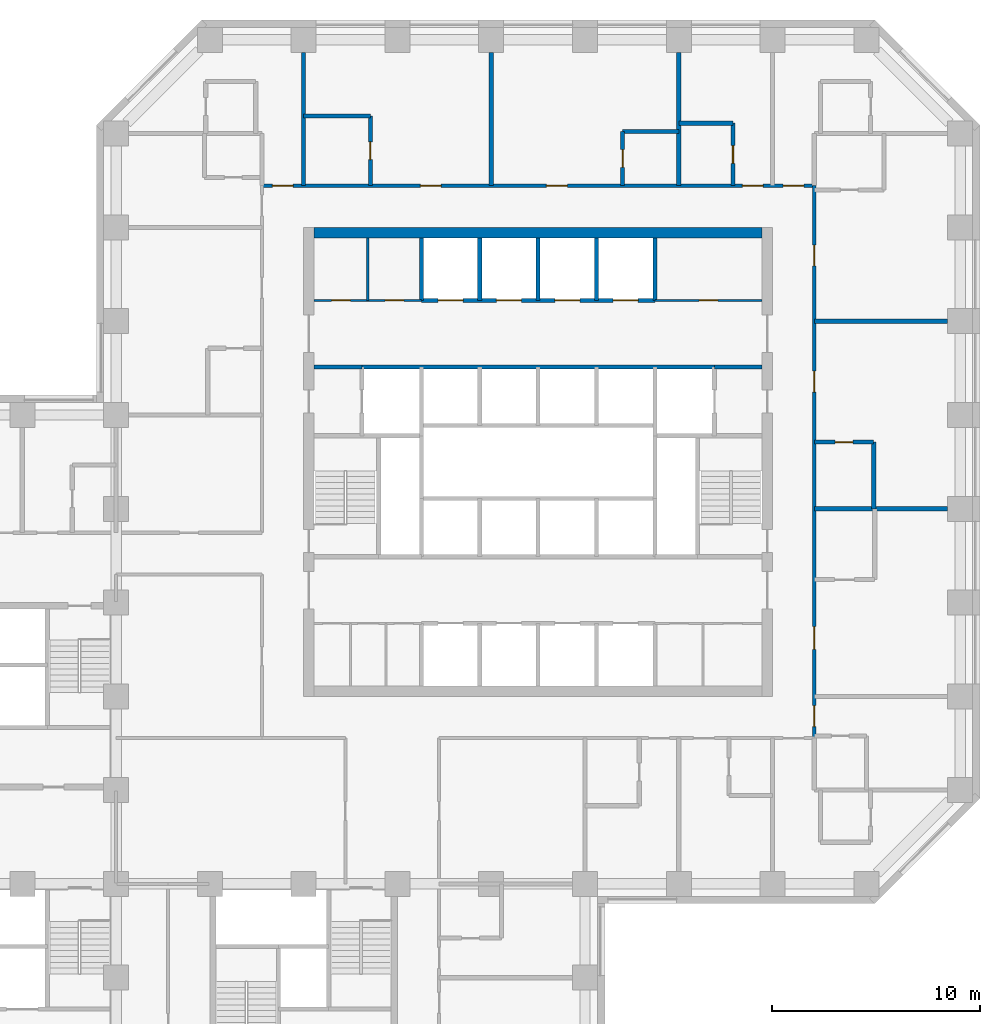
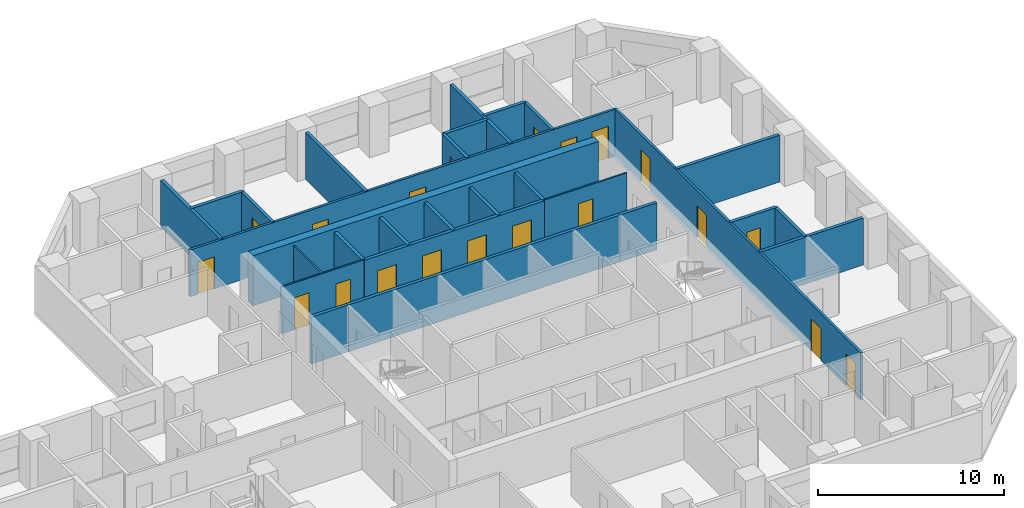
# One storey, part 9 of 12: 28 walls, 20 doors, 20 openings.
"""IFC4 building model written with IfcOpenShell, lengths in metres."""

from ifc_helpers import new_model, si_unit, direction, frame, frame_2d, origin, place, context, subcontext, project, spatial, rectangle, extrude, material, layer, layer_set, type_object, element, fill, save


model = new_model("IFC4")

# Units and contexts
model_context = context("Model", 3, precision=1e-05, world=origin(), true_north=direction((0.0, 1.0)))
body_context = subcontext(model_context, "Body", "Model", "MODEL_VIEW")
ifc_project = project(units=[si_unit("LENGTHUNIT", "METRE"), si_unit("AREAUNIT", "SQUARE_METRE"), si_unit("VOLUMEUNIT", "CUBIC_METRE"), si_unit("PLANEANGLEUNIT", "RADIAN"), si_unit("MASSUNIT", "GRAM", prefix="KILO")], contexts=[model_context])

# Site, building, storey
site_placement = place(None, origin())
site = spatial("IfcSite", under=ifc_project, at=site_placement, CompositionType="ELEMENT")
building_placement = place(site_placement, origin())
building = spatial("IfcBuilding", under=site, at=building_placement, Name="Quoin Convention Tower", CompositionType="ELEMENT")
storey_placement = place(building_placement, frame((0.0, 0.0, 59.39990234375)))
storey = spatial("IfcBuildingStorey", under=building, at=storey_placement, Name="L15", CompositionType="ELEMENT", Elevation=59.39990234375)

# Wall, openings, doors
ifc_material_1 = material(Name="Plasterboard")
ifc_layer_1 = layer(ifc_material_1, 0.012451171875, Name="Finish")
ifc_material_2 = material(Name="Steel stud framing", Category="steel")
ifc_layer_2 = layer(ifc_material_2, 0.074951171875, Name="Structure")
ifc_layer_3 = layer(ifc_material_1, 0.012451171875, Name="Finish")
ifc_layer_set_1 = layer_set([ifc_layer_1, ifc_layer_2, ifc_layer_3], Name="Steel stud framing")
wall_type_1 = type_object("IfcWallType", Name="Core partition wall", PredefinedType="PARTITIONING", material=ifc_layer_set_1)
wall_1_placement = place(storey_placement, frame((45.5, 68.5, 0.0), z_axis=(0.0, 0.0, 1.0), x_axis=(1.0, 0.0, 0.0)))
wall_1 = element("IfcWall", 1, at=wall_1_placement, inside=storey, type_object=wall_type_1, Name="cr-C1-L15-h19000_500", PredefinedType="PARTITIONING", context=body_context, shape_type="SweptSolid", body=[
    extrude(rectangle(XDim=5.14990234375, YDim=0.10009765625, at=frame_2d((2.574951171875, 0.0))), origin(), (0.0, 0.0, 1.0), 3.080078125),
])
opening_1_placement = place(wall_1_placement, frame((0.83740234375, 0.0, 0.0)))
opening_1 = element("IfcOpeningElement", 2, at=opening_1_placement, cuts=wall_1, Name="Opening DCV5-18", PredefinedType="OPENING", context=body_context, shape_type="SweptSolid", body=[
    extrude(rectangle(XDim=0.89990234375, YDim=2.10009765625, at=frame_2d((0.449951171875, 1.050048828125))), frame((0.0, 0.06005859375, 0.0), z_axis=(0.0, -1.0, 0.0), x_axis=(1.0, 0.0, 0.0)), (0.0, 0.0, 1.0), 0.1201171875),
])
opening_2_placement = place(wall_1_placement, frame((3.41259765625, 0.0, 0.0)))
opening_2 = element("IfcOpeningElement", 3, at=opening_2_placement, cuts=wall_1, Name="Opening DCV5-19", PredefinedType="OPENING", context=body_context, shape_type="SweptSolid", body=[
    extrude(rectangle(XDim=0.89990234375, YDim=2.10009765625, at=frame_2d((0.449951171875, 1.050048828125))), frame((0.0, 0.06005859375, 0.0), z_axis=(0.0, -1.0, 0.0), x_axis=(1.0, 0.0, 0.0)), (0.0, 0.0, 1.0), 0.1201171875),
])
ifc_material_3 = material(Name="Steel door leaf", Category="steel")
door_type_1 = type_object("IfcDoorType", Name="Core room door 900 x 2100", OperationType="SINGLE_SWING_LEFT", PredefinedType="DOOR", material=ifc_material_3)
door_1_placement = place(opening_1_placement, origin())
door_1 = element("IfcDoor", 4, at=door_1_placement, inside=storey, type_object=door_type_1, Name="cd-C1-L15-CNW0-lobB-CD1508", OperationType="SINGLE_SWING_RIGHT", OverallHeight=2.10009765625, OverallWidth=0.89990234375, PredefinedType="DOOR", context=body_context, shape_type="SweptSolid", body=[
    extrude(rectangle(XDim=0.89990234375, YDim=2.10009765625, at=frame_2d((0.449951171875, 1.050048828125))), frame((0.0, 0.02490234375, 0.0), z_axis=(0.0, -1.0, 0.0), x_axis=(1.0, 0.0, 0.0)), (0.0, 0.0, 1.0), 0.050048828125),
])
fill(opening_1, door_1)
door_2_placement = place(opening_2_placement, origin())
door_2 = element("IfcDoor", 5, at=door_2_placement, inside=storey, type_object=door_type_1, Name="cd-C1-L15-CNW1-lobB-CD1509", OperationType="SINGLE_SWING_RIGHT", OverallHeight=2.10009765625, OverallWidth=0.89990234375, PredefinedType="DOOR", context=body_context, shape_type="SweptSolid", body=[
    extrude(rectangle(XDim=0.89990234375, YDim=2.10009765625, at=frame_2d((0.449951171875, 1.050048828125))), frame((0.0, 0.02490234375, 0.0), z_axis=(0.0, -1.0, 0.0), x_axis=(1.0, 0.0, 0.0)), (0.0, 0.0, 1.0), 0.050048828125),
])
fill(opening_2, door_2)

# Wall, opening, door
wall_2_placement = place(storey_placement, frame((61.85009765625, 68.5, 0.0), z_axis=(0.0, 0.0, 1.0), x_axis=(1.0, 0.0, 0.0)))
wall_2 = element("IfcWall", 6, at=wall_2_placement, inside=storey, type_object=wall_type_1, Name="cr-C1-L15-h19000_16850", PredefinedType="PARTITIONING", context=body_context, shape_type="SweptSolid", body=[
    extrude(rectangle(XDim=5.14990234375, YDim=0.10009765625, at=frame_2d((2.574951171875, 0.0))), origin(), (0.0, 0.0, 1.0), 3.080078125),
])
opening_3_placement = place(wall_2_placement, frame((2.125, 0.0, 0.0)))
opening_3 = element("IfcOpeningElement", 7, at=opening_3_placement, cuts=wall_2, Name="Opening DCV5-01", PredefinedType="OPENING", context=body_context, shape_type="SweptSolid", body=[
    extrude(rectangle(XDim=0.89990234375, YDim=2.10009765625, at=frame_2d((0.449951171875, 1.050048828125))), frame((0.0, 0.06005859375, 0.0), z_axis=(0.0, -1.0, 0.0), x_axis=(1.0, 0.0, 0.0)), (0.0, 0.0, 1.0), 0.1201171875),
])
door_3_placement = place(opening_3_placement, origin())
door_3 = element("IfcDoor", 8, at=door_3_placement, inside=storey, type_object=door_type_1, Name="cd-C1-L15-CNE0-lobB-CD1507", OperationType="SINGLE_SWING_LEFT", OverallHeight=2.10009765625, OverallWidth=0.89990234375, PredefinedType="DOOR", context=body_context, shape_type="SweptSolid", body=[
    extrude(rectangle(XDim=0.89990234375, YDim=2.10009765625, at=frame_2d((0.449951171875, 1.050048828125))), frame((0.0, 0.02490234375, 0.0), z_axis=(0.0, -1.0, 0.0), x_axis=(1.0, 0.0, 0.0)), (0.0, 0.0, 1.0), 0.050048828125),
])
fill(opening_3, door_3)

# Walls
wall_3_placement = place(storey_placement, frame((48.074951171875, 68.5, 0.0), z_axis=(0.0, 0.0, 1.0), x_axis=(0.0, 1.0, 0.0)))
element("IfcWall", 9, at=wall_3_placement, inside=storey, type_object=wall_type_1, Name="cr-C1-L15-v3075_19000", PredefinedType="PARTITIONING", context=body_context, shape_type="SweptSolid", body=[
    extrude(rectangle(XDim=3.0, YDim=0.10009765625, at=frame_2d((1.5, 0.0))), origin(), (0.0, 0.0, 1.0), 3.080078125),
])
ifc_material_4 = material(Name="Concrete C50", Category="concrete")
ifc_layer_4 = layer(ifc_material_4, 0.199951171875)
ifc_layer_set_2 = layer_set([ifc_layer_4], Name="Concrete C50")
wall_type_2 = type_object("IfcWallType", Name="Core shaft wall", PredefinedType="SOLIDWALL", material=ifc_layer_set_2)
for number, where, z_axis, x_axis, name in (
    (10, (45.5, 65.300048828125, 0.0), (0.0, 0.0, 1.0), (1.0, 0.0, 0.0), "cr-C1-L15-h15800_500"),
    (11, (64.699951171875, 65.300048828125, 0.0), (0.0, 0.0, 1.0), (1.0, 0.0, 0.0), "cr-C1-L15-h15800_19700"),
):
    element("IfcWall", number, at=place(storey_placement, frame(where, z_axis=z_axis, x_axis=x_axis)), inside=storey, type_object=wall_type_2, Name=name, PredefinedType="SOLIDWALL", context=body_context, shape_type="SweptSolid", body=[
        extrude(rectangle(XDim=2.300048828125, YDim=0.199951171875, at=frame_2d((1.14990234375, 0.0))), origin(), (0.0, 0.0, 1.0), 3.080078125),
    ])
wall_4_placement = place(storey_placement, frame((47.800048828125, 65.300048828125, 0.0), z_axis=(0.0, 0.0, 1.0), x_axis=(1.0, 0.0, 0.0)))
element("IfcWall", 12, at=wall_4_placement, inside=storey, type_object=wall_type_2, Name="cr-C1-L15-h15800_2800", PredefinedType="SOLIDWALL", context=body_context, shape_type="SweptSolid", body=[
    extrude(rectangle(XDim=16.89990234375, YDim=0.199951171875, at=frame_2d((8.449951171875, 0.0))), origin(), (0.0, 0.0, 1.0), 3.080078125),
])

# Wall, openings, doors
wall_5_placement = place(storey_placement, frame((50.64990234375, 68.5, 0.0), z_axis=(0.0, 0.0, 1.0), x_axis=(1.0, 0.0, 0.0)))
wall_5 = element("IfcWall", 13, at=wall_5_placement, inside=storey, type_object=wall_type_2, Name="cr-C1-L15-h19000_5650", PredefinedType="SOLIDWALL", context=body_context, shape_type="SweptSolid", body=[
    extrude(rectangle(XDim=11.2001953125, YDim=0.199951171875, at=frame_2d((5.60009765625, 0.0))), origin(), (0.0, 0.0, 1.0), 3.080078125),
])
opening_4_placement = place(wall_5_placement, frame((0.800048828125, 0.0, 0.0)))
opening_4 = element("IfcOpeningElement", 14, at=opening_4_placement, cuts=wall_5, Name="Opening LDL5", PredefinedType="OPENING", context=body_context, shape_type="SweptSolid", body=[
    extrude(rectangle(XDim=1.199951171875, YDim=2.10009765625, at=frame_2d((0.60009765625, 1.050048828125))), frame((0.0, 0.10986328125, 0.0), z_axis=(0.0, -1.0, 0.0), x_axis=(1.0, 0.0, 0.0)), (0.0, 0.0, 1.0), 0.219970703125),
])
opening_5_placement = place(wall_5_placement, frame((3.60009765625, 0.0, 0.0)))
opening_5 = element("IfcOpeningElement", 15, at=opening_5_placement, cuts=wall_5, Name="Opening LDL6", PredefinedType="OPENING", context=body_context, shape_type="SweptSolid", body=[
    extrude(rectangle(XDim=1.199951171875, YDim=2.10009765625, at=frame_2d((0.60009765625, 1.050048828125))), frame((0.0, 0.10986328125, 0.0), z_axis=(0.0, -1.0, 0.0), x_axis=(1.0, 0.0, 0.0)), (0.0, 0.0, 1.0), 0.219970703125),
])
opening_6_placement = place(wall_5_placement, frame((6.39990234375, 0.0, 0.0)))
opening_6 = element("IfcOpeningElement", 16, at=opening_6_placement, cuts=wall_5, Name="Opening LDL7", PredefinedType="OPENING", context=body_context, shape_type="SweptSolid", body=[
    extrude(rectangle(XDim=1.199951171875, YDim=2.10009765625, at=frame_2d((0.60009765625, 1.050048828125))), frame((0.0, 0.10986328125, 0.0), z_axis=(0.0, -1.0, 0.0), x_axis=(1.0, 0.0, 0.0)), (0.0, 0.0, 1.0), 0.219970703125),
])
opening_7_placement = place(wall_5_placement, frame((9.199951171875, 0.0, 0.0)))
opening_7 = element("IfcOpeningElement", 17, at=opening_7_placement, cuts=wall_5, Name="Opening LDL8", PredefinedType="OPENING", context=body_context, shape_type="SweptSolid", body=[
    extrude(rectangle(XDim=1.199951171875, YDim=2.10009765625, at=frame_2d((0.60009765625, 1.050048828125))), frame((0.0, 0.10986328125, 0.0), z_axis=(0.0, -1.0, 0.0), x_axis=(1.0, 0.0, 0.0)), (0.0, 0.0, 1.0), 0.219970703125),
])
door_type_2 = type_object("IfcDoorType", Name="Lift landing door 1200 x 2100", OperationType="DOUBLE_DOOR_SLIDING", PredefinedType="DOOR", material=ifc_material_3)
door_4_placement = place(opening_4_placement, origin())
door_4 = element("IfcDoor", 18, at=door_4_placement, inside=storey, type_object=door_type_2, Name="cd-C1-L15-R40-lobB-LDL5", OperationType="DOUBLE_DOOR_SLIDING", OverallHeight=2.10009765625, OverallWidth=1.199951171875, PredefinedType="DOOR", context=body_context, shape_type="SweptSolid", body=[
    extrude(rectangle(XDim=1.199951171875, YDim=2.10009765625, at=frame_2d((0.60009765625, 1.050048828125))), frame((0.0, 0.02490234375, 0.0), z_axis=(0.0, -1.0, 0.0), x_axis=(1.0, 0.0, 0.0)), (0.0, 0.0, 1.0), 0.050048828125),
])
fill(opening_4, door_4)
door_5_placement = place(opening_5_placement, origin())
door_5 = element("IfcDoor", 19, at=door_5_placement, inside=storey, type_object=door_type_2, Name="cd-C1-L15-R41-lobB-LDL6", OperationType="DOUBLE_DOOR_SLIDING", OverallHeight=2.10009765625, OverallWidth=1.199951171875, PredefinedType="DOOR", context=body_context, shape_type="SweptSolid", body=[
    extrude(rectangle(XDim=1.199951171875, YDim=2.10009765625, at=frame_2d((0.60009765625, 1.050048828125))), frame((0.0, 0.02490234375, 0.0), z_axis=(0.0, -1.0, 0.0), x_axis=(1.0, 0.0, 0.0)), (0.0, 0.0, 1.0), 0.050048828125),
])
fill(opening_5, door_5)
door_6_placement = place(opening_6_placement, origin())
door_6 = element("IfcDoor", 20, at=door_6_placement, inside=storey, type_object=door_type_2, Name="cd-C1-L15-R42-lobB-LDL7", OperationType="DOUBLE_DOOR_SLIDING", OverallHeight=2.10009765625, OverallWidth=1.199951171875, PredefinedType="DOOR", context=body_context, shape_type="SweptSolid", body=[
    extrude(rectangle(XDim=1.199951171875, YDim=2.10009765625, at=frame_2d((0.60009765625, 1.050048828125))), frame((0.0, 0.02490234375, 0.0), z_axis=(0.0, -1.0, 0.0), x_axis=(1.0, 0.0, 0.0)), (0.0, 0.0, 1.0), 0.050048828125),
])
fill(opening_6, door_6)
door_7_placement = place(opening_7_placement, origin())
door_7 = element("IfcDoor", 21, at=door_7_placement, inside=storey, type_object=door_type_2, Name="cd-C1-L15-R43-lobB-LDL8", OperationType="DOUBLE_DOOR_SLIDING", OverallHeight=2.10009765625, OverallWidth=1.199951171875, PredefinedType="DOOR", context=body_context, shape_type="SweptSolid", body=[
    extrude(rectangle(XDim=1.199951171875, YDim=2.10009765625, at=frame_2d((0.60009765625, 1.050048828125))), frame((0.0, 0.02490234375, 0.0), z_axis=(0.0, -1.0, 0.0), x_axis=(1.0, 0.0, 0.0)), (0.0, 0.0, 1.0), 0.050048828125),
])
fill(opening_7, door_7)

# Walls
for number, where, z_axis, x_axis, name in (
    (22, (50.64990234375, 68.5, 0.0), (0.0, 0.0, 1.0), (0.0, 1.0, 0.0), "cr-C1-L15-v5650_19000"),
    (23, (53.449951171875, 68.5, 0.0), (0.0, 0.0, 1.0), (0.0, 1.0, 0.0), "cr-C1-L15-v8450_19000"),
    (24, (56.25, 68.5, 0.0), (0.0, 0.0, 1.0), (0.0, 1.0, 0.0), "cr-C1-L15-v11250_19000"),
    (25, (59.050048828125, 68.5, 0.0), (0.0, 0.0, 1.0), (0.0, 1.0, 0.0), "cr-C1-L15-v14050_19000"),
    (26, (61.85009765625, 68.5, 0.0), (0.0, 0.0, 1.0), (0.0, 1.0, 0.0), "cr-C1-L15-v16850_19000"),
):
    element("IfcWall", number, at=place(storey_placement, frame(where, z_axis=z_axis, x_axis=x_axis)), inside=storey, type_object=wall_type_2, Name=name, PredefinedType="SOLIDWALL", context=body_context, shape_type="SweptSolid", body=[
        extrude(rectangle(XDim=3.0, YDim=0.199951171875, at=frame_2d((1.5, 0.0))), origin(), (0.0, 0.0, 1.0), 3.080078125),
    ])
ifc_material_5 = material(Name="Concrete C80", Category="concrete")
ifc_layer_5 = layer(ifc_material_5, 0.5)
ifc_layer_set_3 = layer_set([ifc_layer_5], Name="Concrete C80")
wall_type_3 = type_object("IfcWallType", Name="RC CORE WALL 500 C80", PredefinedType="SHEAR", material=ifc_layer_set_3)
wall_6_placement = place(storey_placement, frame((45.5, 71.75, 0.0), z_axis=(0.0, 0.0, 1.0), x_axis=(1.0, 0.0, 0.0)))
element("IfcWall", 27, at=wall_6_placement, inside=storey, type_object=wall_type_3, Name="cwl-C1-L15-N", PredefinedType="SHEAR", context=body_context, shape_type="SweptSolid", body=[
    extrude(rectangle(XDim=21.5, YDim=0.5, at=frame_2d((10.75, 0.0))), origin(), (0.0, 0.0, 1.0), 3.300048828125),
])
ifc_layer_6 = layer(ifc_material_4, 0.199951171875)
ifc_layer_set_4 = layer_set([ifc_layer_6], Name="Concrete C50")
wall_type_4 = type_object("IfcWallType", Name="RC party wall", PredefinedType="SOLIDWALL", material=ifc_layer_set_4)
wall_7_placement = place(storey_placement, frame((69.5, 58.5, 0.0), z_axis=(0.0, 0.0, 1.0), x_axis=(1.0, 0.0, 0.0)))
element("IfcWall", 28, at=wall_7_placement, inside=storey, type_object=wall_type_4, Name="pw-L15-119", PredefinedType="SOLIDWALL", context=body_context, shape_type="SweptSolid", body=[
    extrude(rectangle(XDim=6.39990234375, YDim=0.199951171875, at=frame_2d((3.199951171875, 0.0))), origin(), (0.0, 0.0, 1.0), 3.080078125),
])
wall_8_placement = place(storey_placement, frame((72.35009765625, 58.5, 0.0), z_axis=(0.0, 0.0, 1.0), x_axis=(0.0, 1.0, 0.0)))
element("IfcWall", 29, at=wall_8_placement, inside=storey, type_object=wall_type_4, Name="pw-L15-120", PredefinedType="SOLIDWALL", context=body_context, shape_type="SweptSolid", body=[
    extrude(rectangle(XDim=3.199951171875, YDim=0.199951171875, at=frame_2d((1.60009765625, 0.0))), origin(), (0.0, 0.0, 1.0), 3.080078125),
])

# Wall, opening, door
wall_9_placement = place(storey_placement, frame((69.5, 61.699951171875, 0.0), z_axis=(0.0, 0.0, 1.0), x_axis=(1.0, 0.0, 0.0)))
wall_9 = element("IfcWall", 30, at=wall_9_placement, inside=storey, type_object=wall_type_4, Name="pw-L15-125", PredefinedType="SOLIDWALL", context=body_context, shape_type="SweptSolid", body=[
    extrude(rectangle(XDim=2.85009765625, YDim=0.199951171875, at=frame_2d((1.425048828125, 0.0))), origin(), (0.0, 0.0, 1.0), 3.080078125),
])
opening_8_placement = place(wall_9_placement, frame((1.0, 0.0, 0.0)))
opening_8 = element("IfcOpeningElement", 31, at=opening_8_placement, cuts=wall_9, Name="Opening DHOTEL-D-65", PredefinedType="OPENING", context=body_context, shape_type="SweptSolid", body=[
    extrude(rectangle(XDim=0.85009765625, YDim=2.10009765625, at=frame_2d((0.425048828125, 1.050048828125))), frame((0.0, 0.10986328125, 0.0), z_axis=(0.0, -1.0, 0.0), x_axis=(1.0, 0.0, 0.0)), (0.0, 0.0, 1.0), 0.219970703125),
])
door_type_3 = type_object("IfcDoorType", Name="Bathroom door", OperationType="SINGLE_SWING_LEFT", PredefinedType="DOOR", material=ifc_material_3)
door_8_placement = place(opening_8_placement, origin())
door_8 = element("IfcDoor", 32, at=door_8_placement, inside=storey, type_object=door_type_3, Name="dr-L15-050", OperationType="SINGLE_SWING_LEFT", OverallHeight=2.10009765625, OverallWidth=0.85009765625, PredefinedType="DOOR", context=body_context, shape_type="SweptSolid", body=[
    extrude(rectangle(XDim=0.85009765625, YDim=2.10009765625, at=frame_2d((0.425048828125, 1.050048828125))), frame((0.0, 0.02490234375, 0.0), z_axis=(0.0, -1.0, 0.0), x_axis=(1.0, 0.0, 0.0)), (0.0, 0.0, 1.0), 0.050048828125),
])
fill(opening_8, door_8)

# Walls
for number, where, z_axis, x_axis, name in (
    (33, (69.5, 67.5, 0.0), (0.0, 0.0, 1.0), (1.0, 0.0, 0.0), "pw-L15-128"),
    (34, (45.0, 74.0, 0.0), (0.0, 0.0, 1.0), (0.0, 1.0, 0.0), "pw-L15-133"),
):
    element("IfcWall", number, at=place(storey_placement, frame(where, z_axis=z_axis, x_axis=x_axis)), inside=storey, type_object=wall_type_4, Name=name, PredefinedType="SOLIDWALL", context=body_context, shape_type="SweptSolid", body=[
        extrude(rectangle(XDim=6.39990234375, YDim=0.199951171875, at=frame_2d((3.199951171875, 0.0))), origin(), (0.0, 0.0, 1.0), 3.080078125),
    ])

# Wall, opening, door
wall_10_placement = place(storey_placement, frame((48.199951171875, 74.0, 0.0), z_axis=(0.0, 0.0, 1.0), x_axis=(0.0, 1.0, 0.0)))
wall_10 = element("IfcWall", 35, at=wall_10_placement, inside=storey, type_object=wall_type_4, Name="pw-L15-134", PredefinedType="SOLIDWALL", context=body_context, shape_type="SweptSolid", body=[
    extrude(rectangle(XDim=3.35009765625, YDim=0.199951171875, at=frame_2d((1.675048828125, 0.0))), origin(), (0.0, 0.0, 1.0), 3.080078125),
])
opening_9_placement = place(wall_10_placement, frame((1.25, 0.0, 0.0)))
opening_9 = element("IfcOpeningElement", 36, at=opening_9_placement, cuts=wall_10, Name="Opening DHOTEL-D-68", PredefinedType="OPENING", context=body_context, shape_type="SweptSolid", body=[
    extrude(rectangle(XDim=0.85009765625, YDim=2.10009765625, at=frame_2d((0.425048828125, 1.050048828125))), frame((0.0, 0.10986328125, 0.0), z_axis=(0.0, -1.0, 0.0), x_axis=(1.0, 0.0, 0.0)), (0.0, 0.0, 1.0), 0.219970703125),
])
door_9_placement = place(opening_9_placement, frame((0.85009765625, 0.0, 0.0), z_axis=(0.0, 0.0, 1.0), x_axis=(-1.0, 0.0, 0.0)))
door_9 = element("IfcDoor", 37, at=door_9_placement, inside=storey, type_object=door_type_3, Name="dr-L15-042", OperationType="SINGLE_SWING_RIGHT", OverallHeight=2.10009765625, OverallWidth=0.85009765625, PredefinedType="DOOR", context=body_context, shape_type="SweptSolid", body=[
    extrude(rectangle(XDim=0.85009765625, YDim=2.10009765625, at=frame_2d((0.425048828125, 1.050048828125))), frame((0.0, 0.02490234375, 0.0), z_axis=(0.0, -1.0, 0.0), x_axis=(1.0, 0.0, 0.0)), (0.0, 0.0, 1.0), 0.050048828125),
])
fill(opening_9, door_9)

# Wall
wall_11_placement = place(storey_placement, frame((54.0, 74.0, 0.0), z_axis=(0.0, 0.0, 1.0), x_axis=(0.0, 1.0, 0.0)))
element("IfcWall", 38, at=wall_11_placement, inside=storey, type_object=wall_type_4, Name="pw-L15-135", PredefinedType="SOLIDWALL", context=body_context, shape_type="SweptSolid", body=[
    extrude(rectangle(XDim=6.39990234375, YDim=0.199951171875, at=frame_2d((3.199951171875, 0.0))), origin(), (0.0, 0.0, 1.0), 3.080078125),
])

# Wall, opening, door
wall_12_placement = place(storey_placement, frame((60.300048828125, 74.0, 0.0), z_axis=(0.0, 0.0, 1.0), x_axis=(0.0, 1.0, 0.0)))
wall_12 = element("IfcWall", 39, at=wall_12_placement, inside=storey, type_object=wall_type_4, Name="pw-L15-136", PredefinedType="SOLIDWALL", context=body_context, shape_type="SweptSolid", body=[
    extrude(rectangle(XDim=2.60009765625, YDim=0.199951171875, at=frame_2d((1.300048828125, 0.0))), origin(), (0.0, 0.0, 1.0), 3.080078125),
])
opening_10_placement = place(wall_12_placement, frame((0.875, 0.0, 0.0)))
opening_10 = element("IfcOpeningElement", 40, at=opening_10_placement, cuts=wall_12, Name="Opening DHOTEL-D-69", PredefinedType="OPENING", context=body_context, shape_type="SweptSolid", body=[
    extrude(rectangle(XDim=0.85009765625, YDim=2.10009765625, at=frame_2d((0.425048828125, 1.050048828125))), frame((0.0, 0.10986328125, 0.0), z_axis=(0.0, -1.0, 0.0), x_axis=(1.0, 0.0, 0.0)), (0.0, 0.0, 1.0), 0.219970703125),
])
door_10_placement = place(opening_10_placement, origin())
door_10 = element("IfcDoor", 41, at=door_10_placement, inside=storey, type_object=door_type_3, Name="dr-L15-044", OperationType="SINGLE_SWING_LEFT", OverallHeight=2.10009765625, OverallWidth=0.85009765625, PredefinedType="DOOR", context=body_context, shape_type="SweptSolid", body=[
    extrude(rectangle(XDim=0.85009765625, YDim=2.10009765625, at=frame_2d((0.425048828125, 1.050048828125))), frame((0.0, 0.02490234375, 0.0), z_axis=(0.0, -1.0, 0.0), x_axis=(1.0, 0.0, 0.0)), (0.0, 0.0, 1.0), 0.050048828125),
])
fill(opening_10, door_10)

# Wall
wall_13_placement = place(storey_placement, frame((63.0, 74.0, 0.0), z_axis=(0.0, 0.0, 1.0), x_axis=(0.0, 1.0, 0.0)))
element("IfcWall", 42, at=wall_13_placement, inside=storey, type_object=wall_type_4, Name="pw-L15-137", PredefinedType="SOLIDWALL", context=body_context, shape_type="SweptSolid", body=[
    extrude(rectangle(XDim=6.39990234375, YDim=0.199951171875, at=frame_2d((3.199951171875, 0.0))), origin(), (0.0, 0.0, 1.0), 3.080078125),
])

# Wall, opening, door
wall_14_placement = place(storey_placement, frame((65.60009765625, 74.0, 0.0), z_axis=(0.0, 0.0, 1.0), x_axis=(0.0, 1.0, 0.0)))
wall_14 = element("IfcWall", 43, at=wall_14_placement, inside=storey, type_object=wall_type_4, Name="pw-L15-138", PredefinedType="SOLIDWALL", context=body_context, shape_type="SweptSolid", body=[
    extrude(rectangle(XDim=3.0, YDim=0.199951171875, at=frame_2d((1.5, 0.0))), origin(), (0.0, 0.0, 1.0), 3.080078125),
])
opening_11_placement = place(wall_14_placement, frame((1.074951171875, 0.0, 0.0)))
opening_11 = element("IfcOpeningElement", 44, at=opening_11_placement, cuts=wall_14, Name="Opening DHOTEL-D-70", PredefinedType="OPENING", context=body_context, shape_type="SweptSolid", body=[
    extrude(rectangle(XDim=0.85009765625, YDim=2.10009765625, at=frame_2d((0.425048828125, 1.050048828125))), frame((0.0, 0.10986328125, 0.0), z_axis=(0.0, -1.0, 0.0), x_axis=(1.0, 0.0, 0.0)), (0.0, 0.0, 1.0), 0.219970703125),
])
door_11_placement = place(opening_11_placement, frame((0.85009765625, 0.0, 0.0), z_axis=(0.0, 0.0, 1.0), x_axis=(-1.0, 0.0, 0.0)))
door_11 = element("IfcDoor", 45, at=door_11_placement, inside=storey, type_object=door_type_3, Name="dr-L15-046", OperationType="SINGLE_SWING_RIGHT", OverallHeight=2.10009765625, OverallWidth=0.85009765625, PredefinedType="DOOR", context=body_context, shape_type="SweptSolid", body=[
    extrude(rectangle(XDim=0.85009765625, YDim=2.10009765625, at=frame_2d((0.425048828125, 1.050048828125))), frame((0.0, 0.02490234375, 0.0), z_axis=(0.0, -1.0, 0.0), x_axis=(1.0, 0.0, 0.0)), (0.0, 0.0, 1.0), 0.050048828125),
])
fill(opening_11, door_11)

# Walls
wall_15_placement = place(storey_placement, frame((60.300048828125, 76.60009765625, 0.0), z_axis=(0.0, 0.0, 1.0), x_axis=(1.0, 0.0, 0.0)))
element("IfcWall", 46, at=wall_15_placement, inside=storey, type_object=wall_type_4, Name="pw-L15-149", PredefinedType="SOLIDWALL", context=body_context, shape_type="SweptSolid", body=[
    extrude(rectangle(XDim=2.699951171875, YDim=0.199951171875, at=frame_2d((1.35009765625, 0.0))), origin(), (0.0, 0.0, 1.0), 3.080078125),
])
wall_16_placement = place(storey_placement, frame((63.0, 77.0, 0.0), z_axis=(0.0, 0.0, 1.0), x_axis=(1.0, 0.0, 0.0)))
element("IfcWall", 47, at=wall_16_placement, inside=storey, type_object=wall_type_4, Name="pw-L15-150", PredefinedType="SOLIDWALL", context=body_context, shape_type="SweptSolid", body=[
    extrude(rectangle(XDim=2.60009765625, YDim=0.199951171875, at=frame_2d((1.300048828125, 0.0))), origin(), (0.0, 0.0, 1.0), 3.080078125),
])
wall_17_placement = place(storey_placement, frame((45.0, 77.35009765625, 0.0), z_axis=(0.0, 0.0, 1.0), x_axis=(1.0, 0.0, 0.0)))
element("IfcWall", 48, at=wall_17_placement, inside=storey, type_object=wall_type_4, Name="pw-L15-151", PredefinedType="SOLIDWALL", context=body_context, shape_type="SweptSolid", body=[
    extrude(rectangle(XDim=3.199951171875, YDim=0.199951171875, at=frame_2d((1.60009765625, 0.0))), origin(), (0.0, 0.0, 1.0), 3.080078125),
])

# Wall, openings, doors
ifc_layer_7 = layer(ifc_material_1, 0.012451171875, Name="Finish")
ifc_layer_8 = layer(ifc_material_2, 0.125, Name="Structure")
ifc_layer_9 = layer(ifc_material_1, 0.012451171875, Name="Finish")
ifc_layer_set_5 = layer_set([ifc_layer_7, ifc_layer_8, ifc_layer_9], Name="Steel stud framing")
wall_type_5 = type_object("IfcWallType", Name="corridor partition", PredefinedType="PARTITIONING", material=ifc_layer_set_5)
wall_18_placement = place(storey_placement, frame((69.5, 47.5, 0.0), z_axis=(0.0, 0.0, 1.0), x_axis=(0.0, 1.0, 0.0)))
wall_18 = element("IfcWall", 49, at=wall_18_placement, inside=storey, type_object=wall_type_5, Name="pw-L15-031", PredefinedType="PARTITIONING", context=body_context, shape_type="SweptSolid", body=[
    extrude(rectangle(XDim=26.5, YDim=0.14990234375, at=frame_2d((13.25, 0.0))), origin(), (0.0, 0.0, 1.0), 3.080078125),
])
opening_12_placement = place(wall_18_placement, frame((22.64990234375, 0.0, 0.0)))
opening_12 = element("IfcOpeningElement", 50, at=opening_12_placement, cuts=wall_18, Name="Opening DHOTEL-D-31", PredefinedType="OPENING", context=body_context, shape_type="SweptSolid", body=[
    extrude(rectangle(XDim=1.0, YDim=2.10009765625, at=frame_2d((0.5, 1.050048828125))), frame((0.0, 0.0849609375, 0.0), z_axis=(0.0, -1.0, 0.0), x_axis=(1.0, 0.0, 0.0)), (0.0, 0.0, 1.0), 0.169921875),
])
opening_13_placement = place(wall_18_placement, frame((16.60009765625, 0.0, 0.0)))
opening_13 = element("IfcOpeningElement", 51, at=opening_13_placement, cuts=wall_18, Name="Opening DHOTEL-D-30", PredefinedType="OPENING", context=body_context, shape_type="SweptSolid", body=[
    extrude(rectangle(XDim=1.0, YDim=2.10009765625, at=frame_2d((0.5, 1.050048828125))), frame((0.0, 0.0849609375, 0.0), z_axis=(0.0, -1.0, 0.0), x_axis=(1.0, 0.0, 0.0)), (0.0, 0.0, 1.0), 0.169921875),
])
opening_14_placement = place(wall_18_placement, frame((4.25, 0.0, 0.0)))
opening_14 = element("IfcOpeningElement", 52, at=opening_14_placement, cuts=wall_18, Name="Opening DHOTEL-D-29", PredefinedType="OPENING", context=body_context, shape_type="SweptSolid", body=[
    extrude(rectangle(XDim=1.10009765625, YDim=2.10009765625, at=frame_2d((0.550048828125, 1.050048828125))), frame((0.0, 0.0849609375, 0.0), z_axis=(0.0, -1.0, 0.0), x_axis=(1.0, 0.0, 0.0)), (0.0, 0.0, 1.0), 0.169921875),
])
opening_15_placement = place(wall_18_placement, frame((0.550048828125, 0.0, 0.0)))
opening_15 = element("IfcOpeningElement", 53, at=opening_15_placement, cuts=wall_18, Name="Opening DHOTEL-D-28", PredefinedType="OPENING", context=body_context, shape_type="SweptSolid", body=[
    extrude(rectangle(XDim=1.0, YDim=2.10009765625, at=frame_2d((0.5, 1.050048828125))), frame((0.0, 0.0849609375, 0.0), z_axis=(0.0, -1.0, 0.0), x_axis=(1.0, 0.0, 0.0)), (0.0, 0.0, 1.0), 0.169921875),
])
door_type_4 = type_object("IfcDoorType", Name="Accessible room door", OperationType="SINGLE_SWING_LEFT", PredefinedType="DOOR", material=ifc_material_3)
door_12_placement = place(opening_14_placement, frame((1.10009765625, 0.0, 0.0), z_axis=(0.0, 0.0, 1.0), x_axis=(-1.0, 0.0, 0.0)))
door_12 = element("IfcDoor", 54, at=door_12_placement, inside=storey, type_object=door_type_4, Name="dr-L15-051", OperationType="SINGLE_SWING_LEFT", OverallHeight=2.10009765625, OverallWidth=1.10009765625, PredefinedType="DOOR", context=body_context, shape_type="SweptSolid", body=[
    extrude(rectangle(XDim=1.10009765625, YDim=2.10009765625, at=frame_2d((0.550048828125, 1.050048828125))), frame((0.0, 0.02490234375, 0.0), z_axis=(0.0, -1.0, 0.0), x_axis=(1.0, 0.0, 0.0)), (0.0, 0.0, 1.0), 0.050048828125),
])
fill(opening_14, door_12)
door_type_5 = type_object("IfcDoorType", Name="Hotel room door", OperationType="SINGLE_SWING_LEFT", PredefinedType="DOOR", material=ifc_material_3)
door_13_placement = place(opening_12_placement, frame((1.0, 0.0, 0.0), z_axis=(0.0, 0.0, 1.0), x_axis=(-1.0, 0.0, 0.0)))
door_13 = element("IfcDoor", 55, at=door_13_placement, inside=storey, type_object=door_type_5, Name="dr-L15-047", OperationType="SINGLE_SWING_LEFT", OverallHeight=2.10009765625, OverallWidth=1.0, PredefinedType="DOOR", context=body_context, shape_type="SweptSolid", body=[
    extrude(rectangle(XDim=1.0, YDim=2.10009765625, at=frame_2d((0.5, 1.050048828125))), frame((0.0, 0.02490234375, 0.0), z_axis=(0.0, -1.0, 0.0), x_axis=(1.0, 0.0, 0.0)), (0.0, 0.0, 1.0), 0.050048828125),
])
fill(opening_12, door_13)
door_14_placement = place(opening_13_placement, frame((1.0, 0.0, 0.0), z_axis=(0.0, 0.0, 1.0), x_axis=(-1.0, 0.0, 0.0)))
door_14 = element("IfcDoor", 56, at=door_14_placement, inside=storey, type_object=door_type_5, Name="dr-L15-049", OperationType="SINGLE_SWING_LEFT", OverallHeight=2.10009765625, OverallWidth=1.0, PredefinedType="DOOR", context=body_context, shape_type="SweptSolid", body=[
    extrude(rectangle(XDim=1.0, YDim=2.10009765625, at=frame_2d((0.5, 1.050048828125))), frame((0.0, 0.02490234375, 0.0), z_axis=(0.0, -1.0, 0.0), x_axis=(1.0, 0.0, 0.0)), (0.0, 0.0, 1.0), 0.050048828125),
])
fill(opening_13, door_14)
door_15_placement = place(opening_15_placement, frame((1.0, 0.0, 0.0), z_axis=(0.0, 0.0, 1.0), x_axis=(-1.0, 0.0, 0.0)))
door_15 = element("IfcDoor", 57, at=door_15_placement, inside=storey, type_object=door_type_5, Name="dr-L15-053", OperationType="SINGLE_SWING_LEFT", OverallHeight=2.10009765625, OverallWidth=1.0, PredefinedType="DOOR", context=body_context, shape_type="SweptSolid", body=[
    extrude(rectangle(XDim=1.0, YDim=2.10009765625, at=frame_2d((0.5, 1.050048828125))), frame((0.0, 0.02490234375, 0.0), z_axis=(0.0, -1.0, 0.0), x_axis=(1.0, 0.0, 0.0)), (0.0, 0.0, 1.0), 0.050048828125),
])
fill(opening_15, door_15)

wall_19_placement = place(storey_placement, frame((43.0, 74.0, 0.0), z_axis=(0.0, 0.0, 1.0), x_axis=(1.0, 0.0, 0.0)))
wall_19 = element("IfcWall", 58, at=wall_19_placement, inside=storey, type_object=wall_type_5, Name="pw-L15-038", PredefinedType="PARTITIONING", context=body_context, shape_type="SweptSolid", body=[
    extrude(rectangle(XDim=26.5, YDim=0.14990234375, at=frame_2d((13.25, 0.0))), origin(), (0.0, 0.0, 1.0), 3.080078125),
])
opening_16_placement = place(wall_19_placement, frame((7.60009765625, 0.0, 0.0)))
opening_16 = element("IfcOpeningElement", 59, at=opening_16_placement, cuts=wall_19, Name="Opening DHOTEL-D-38", PredefinedType="OPENING", context=body_context, shape_type="SweptSolid", body=[
    extrude(rectangle(XDim=1.0, YDim=2.10009765625, at=frame_2d((0.5, 1.050048828125))), frame((0.0, 0.0849609375, 0.0), z_axis=(0.0, -1.0, 0.0), x_axis=(1.0, 0.0, 0.0)), (0.0, 0.0, 1.0), 0.169921875),
])
opening_17_placement = place(wall_19_placement, frame((13.64990234375, 0.0, 0.0)))
opening_17 = element("IfcOpeningElement", 60, at=opening_17_placement, cuts=wall_19, Name="Opening DHOTEL-D-39", PredefinedType="OPENING", context=body_context, shape_type="SweptSolid", body=[
    extrude(rectangle(XDim=1.0, YDim=2.10009765625, at=frame_2d((0.5, 1.050048828125))), frame((0.0, 0.0849609375, 0.0), z_axis=(0.0, -1.0, 0.0), x_axis=(1.0, 0.0, 0.0)), (0.0, 0.0, 1.0), 0.169921875),
])
opening_18_placement = place(wall_19_placement, frame((23.050048828125, 0.0, 0.0)))
opening_18 = element("IfcOpeningElement", 61, at=opening_18_placement, cuts=wall_19, Name="Opening DHOTEL-D-40", PredefinedType="OPENING", context=body_context, shape_type="SweptSolid", body=[
    extrude(rectangle(XDim=1.0, YDim=2.10009765625, at=frame_2d((0.5, 1.050048828125))), frame((0.0, 0.0849609375, 0.0), z_axis=(0.0, -1.0, 0.0), x_axis=(1.0, 0.0, 0.0)), (0.0, 0.0, 1.0), 0.169921875),
])
opening_19_placement = place(wall_19_placement, frame((0.5, 0.0, 0.0)))
opening_19 = element("IfcOpeningElement", 62, at=opening_19_placement, cuts=wall_19, Name="Opening DHOTEL-D-37", PredefinedType="OPENING", context=body_context, shape_type="SweptSolid", body=[
    extrude(rectangle(XDim=1.0, YDim=2.10009765625, at=frame_2d((0.5, 1.050048828125))), frame((0.0, 0.0849609375, 0.0), z_axis=(0.0, -1.0, 0.0), x_axis=(1.0, 0.0, 0.0)), (0.0, 0.0, 1.0), 0.169921875),
])
opening_20_placement = place(wall_19_placement, frame((25.0, 0.0, 0.0)))
opening_20 = element("IfcOpeningElement", 63, at=opening_20_placement, cuts=wall_19, Name="Opening DHOTEL-D-41", PredefinedType="OPENING", context=body_context, shape_type="SweptSolid", body=[
    extrude(rectangle(XDim=1.0, YDim=2.10009765625, at=frame_2d((0.5, 1.050048828125))), frame((0.0, 0.0849609375, 0.0), z_axis=(0.0, -1.0, 0.0), x_axis=(1.0, 0.0, 0.0)), (0.0, 0.0, 1.0), 0.169921875),
])
door_16_placement = place(opening_16_placement, origin())
door_16 = element("IfcDoor", 64, at=door_16_placement, inside=storey, type_object=door_type_5, Name="dr-L15-041", OperationType="SINGLE_SWING_RIGHT", OverallHeight=2.10009765625, OverallWidth=1.0, PredefinedType="DOOR", context=body_context, shape_type="SweptSolid", body=[
    extrude(rectangle(XDim=1.0, YDim=2.10009765625, at=frame_2d((0.5, 1.050048828125))), frame((0.0, 0.02490234375, 0.0), z_axis=(0.0, -1.0, 0.0), x_axis=(1.0, 0.0, 0.0)), (0.0, 0.0, 1.0), 0.050048828125),
])
fill(opening_16, door_16)
door_17_placement = place(opening_17_placement, origin())
door_17 = element("IfcDoor", 65, at=door_17_placement, inside=storey, type_object=door_type_5, Name="dr-L15-043", OperationType="SINGLE_SWING_RIGHT", OverallHeight=2.10009765625, OverallWidth=1.0, PredefinedType="DOOR", context=body_context, shape_type="SweptSolid", body=[
    extrude(rectangle(XDim=1.0, YDim=2.10009765625, at=frame_2d((0.5, 1.050048828125))), frame((0.0, 0.02490234375, 0.0), z_axis=(0.0, -1.0, 0.0), x_axis=(1.0, 0.0, 0.0)), (0.0, 0.0, 1.0), 0.050048828125),
])
fill(opening_17, door_17)
door_18_placement = place(opening_18_placement, origin())
door_18 = element("IfcDoor", 66, at=door_18_placement, inside=storey, type_object=door_type_5, Name="dr-L15-045", OperationType="SINGLE_SWING_RIGHT", OverallHeight=2.10009765625, OverallWidth=1.0, PredefinedType="DOOR", context=body_context, shape_type="SweptSolid", body=[
    extrude(rectangle(XDim=1.0, YDim=2.10009765625, at=frame_2d((0.5, 1.050048828125))), frame((0.0, 0.02490234375, 0.0), z_axis=(0.0, -1.0, 0.0), x_axis=(1.0, 0.0, 0.0)), (0.0, 0.0, 1.0), 0.050048828125),
])
fill(opening_18, door_18)
door_19_placement = place(opening_19_placement, origin())
door_19 = element("IfcDoor", 67, at=door_19_placement, inside=storey, type_object=door_type_5, Name="dr-L15-065", OperationType="SINGLE_SWING_RIGHT", OverallHeight=2.10009765625, OverallWidth=1.0, PredefinedType="DOOR", context=body_context, shape_type="SweptSolid", body=[
    extrude(rectangle(XDim=1.0, YDim=2.10009765625, at=frame_2d((0.5, 1.050048828125))), frame((0.0, 0.02490234375, 0.0), z_axis=(0.0, -1.0, 0.0), x_axis=(1.0, 0.0, 0.0)), (0.0, 0.0, 1.0), 0.050048828125),
])
fill(opening_19, door_19)
door_20_placement = place(opening_20_placement, origin())
door_20 = element("IfcDoor", 68, at=door_20_placement, inside=storey, type_object=door_type_5, Name="dr-L15-067", OperationType="SINGLE_SWING_RIGHT", OverallHeight=2.10009765625, OverallWidth=1.0, PredefinedType="DOOR", context=body_context, shape_type="SweptSolid", body=[
    extrude(rectangle(XDim=1.0, YDim=2.10009765625, at=frame_2d((0.5, 1.050048828125))), frame((0.0, 0.02490234375, 0.0), z_axis=(0.0, -1.0, 0.0), x_axis=(1.0, 0.0, 0.0)), (0.0, 0.0, 1.0), 0.050048828125),
])
fill(opening_20, door_20)

save(model, "model.ifc")
